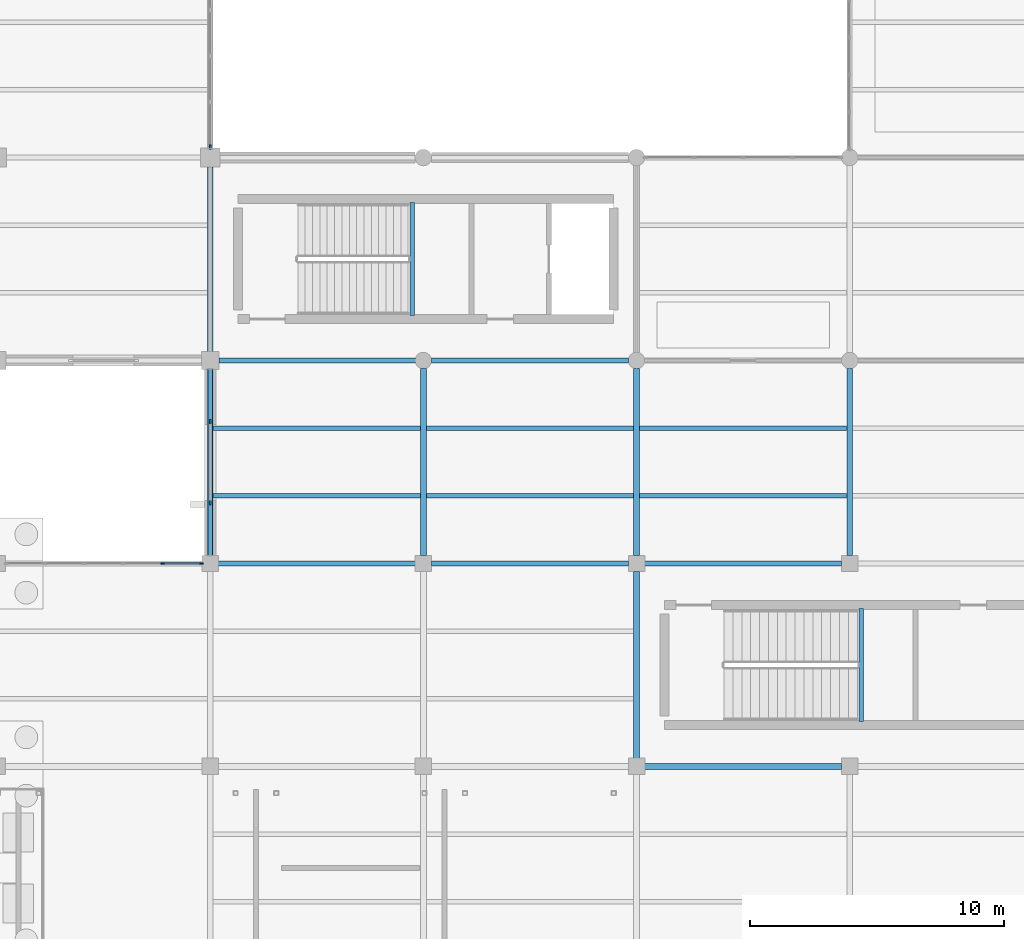
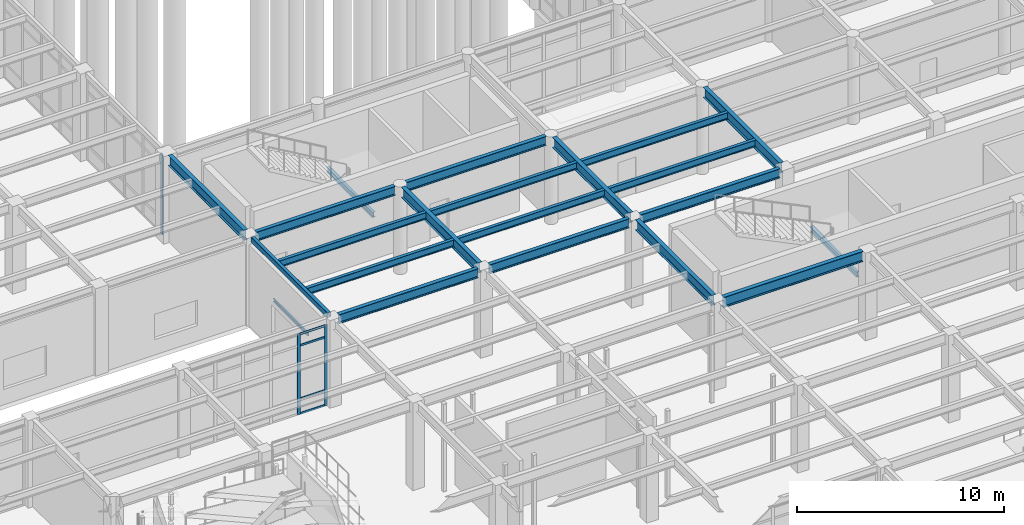
# One storey, part 28 of 138: 21 beams, 7 members, 2 elements without a shape of their own.
"""IFC4 building model written with IfcOpenShell, lengths in metres."""

from ifc_helpers import new_model, si_unit, direction, frame, origin, origin_2d, place, context, subcontext, project, spatial, rectangle, hollow_rectangle, i_section, u_section, extrude, material, layer, layer_set, material_profile, profile_set, type_object, element, aggregate, save


model = new_model("IFC4")

# Units and contexts
model_context = context("Model", 3, precision=1e-05, world=origin(), true_north=direction((0.0, 1.0)))
body_context = subcontext(model_context, "Body", "Model", "MODEL_VIEW")
ifc_project = project(units=[si_unit("LENGTHUNIT", "METRE"), si_unit("AREAUNIT", "SQUARE_METRE"), si_unit("VOLUMEUNIT", "CUBIC_METRE"), si_unit("PLANEANGLEUNIT", "RADIAN"), si_unit("MASSUNIT", "GRAM", prefix="KILO")], contexts=[model_context])

# Site, building, storey
site_placement = place(None, origin())
site = spatial("IfcSite", under=ifc_project, at=site_placement, CompositionType="ELEMENT")
building_placement = place(site_placement, origin())
building = spatial("IfcBuilding", under=site, at=building_placement, Name="Kranzveld Transit Interchange", CompositionType="ELEMENT")
storey_placement = place(building_placement, origin())
storey = spatial("IfcBuildingStorey", under=building, at=storey_placement, Name="L00", CompositionType="ELEMENT", Elevation=0.0)

# Curtain wall, members
ifc_material_1 = material(Name="Bronze-anodised thermally broken aluminium", Category="aluminium")
ifc_layer_1 = layer(ifc_material_1, 0.1650390625)
ifc_layer_set_1 = layer_set([ifc_layer_1], Name="Bronze-anodised thermally broken aluminium")
curtain_wall_type_1 = type_object("IfcCurtainWallType", Name="Sunny Court Arcade Curtain Wall CW-2", PredefinedType="USERDEFINED", material=ifc_layer_set_1)
curtain_wall_1_placement = place(storey_placement, origin())
curtain_wall_1 = element("IfcCurtainWall", 1, at=curtain_wall_1_placement, inside=storey, type_object=curtain_wall_type_1, Name="L00 Curtain Wall 04/F-05/F", ObjectType="CURTAIN WALL", PredefinedType="USERDEFINED")
ifc_material_2 = material(Name="Bronze-anodised thermally broken aluminium", Category="aluminium")
ifc_material_profile_1 = material_profile(ifc_material_2, rectangle(XDim=0.06494140625, YDim=0.1650390625, at=origin_2d()), Name="ALU MULLION 65x165")
ifc_profile_set_1 = profile_set([ifc_material_profile_1], Name="Bronze-anodised thermally broken aluminium")
member_type_1 = type_object("IfcMemberType", Name="Curtain Wall Mullion 65x165 Alu", PredefinedType="MULLION", material=ifc_profile_set_1)
member_1_placement = place(storey_placement, frame((31.72509765625, 40.0, 0.0), z_axis=(0.0, 0.0, 1.0), x_axis=(0.0, 1.0, 0.0)))
member_1 = element("IfcMember", 2, at=member_1_placement, type_object=member_type_1, Name="CW-2 mullion 5", PredefinedType="MULLION", context=body_context, shape_type="SweptSolid", body=[
    extrude(rectangle(XDim=0.06494140625, YDim=0.1650390625, at=origin_2d()), origin(), (0.0, 0.0, 1.0), 4.740478515625),
])
member_2_placement = place(storey_placement, frame((33.242431640625, 40.0, 0.0), z_axis=(0.0, 0.0, 1.0), x_axis=(0.0, 1.0, 0.0)))
member_2 = element("IfcMember", 3, at=member_2_placement, type_object=member_type_1, Name="CW-2 mullion 6", PredefinedType="MULLION", context=body_context, shape_type="SweptSolid", body=[
    extrude(rectangle(XDim=0.06494140625, YDim=0.1650390625, at=origin_2d()), origin(), (0.0, 0.0, 1.0), 4.740478515625),
])

# Curtain wall, member
ifc_material_3 = material(Name="Bronze-anodised thermally broken aluminium", Category="aluminium")
ifc_layer_2 = layer(ifc_material_3, 0.18505859375)
ifc_layer_set_2 = layer_set([ifc_layer_2], Name="Bronze-anodised thermally broken aluminium")
curtain_wall_type_2 = type_object("IfcCurtainWallType", Name="Control Crown Observation Facade CW-5", PredefinedType="USERDEFINED", material=ifc_layer_set_2)
curtain_wall_2_placement = place(storey_placement, origin())
curtain_wall_2 = element("IfcCurtainWall", 4, at=curtain_wall_2_placement, inside=storey, type_object=curtain_wall_type_2, Name="L00 Curtain Wall 05/H-05/J", ObjectType="CURTAIN WALL", PredefinedType="USERDEFINED")
ifc_material_4 = material(Name="Bronze-anodised thermally broken aluminium", Category="aluminium")
ifc_material_profile_2 = material_profile(ifc_material_4, rectangle(XDim=0.06494140625, YDim=0.179931640625, at=origin_2d()), Name="ALU MULLION 65x180")
ifc_profile_set_2 = profile_set([ifc_material_profile_2], Name="Bronze-anodised thermally broken aluminium")
member_type_2 = type_object("IfcMemberType", Name="Curtain Wall Mullion 65x180 Alu", PredefinedType="MULLION", material=ifc_profile_set_2)
member_3_placement = place(storey_placement, frame((33.60009765625, 56.407470703125, 0.0), z_axis=(0.0, 0.0, 1.0), x_axis=(-1.0, 0.0, 0.0)))
member_3 = element("IfcMember", 5, at=member_3_placement, type_object=member_type_2, Name="CW-5 mullion 1", PredefinedType="MULLION", context=body_context, shape_type="SweptSolid", body=[
    extrude(rectangle(XDim=0.06494140625, YDim=0.179931640625, at=origin_2d()), origin(), (0.0, 0.0, 1.0), 4.747314453125),
])
aggregate(curtain_wall_2, [member_3])

# Member
ifc_material_5 = material(Name="Bronze-anodised thermally broken aluminium", Category="aluminium")
ifc_material_profile_3 = material_profile(ifc_material_5, rectangle(XDim=0.06005859375, YDim=0.125, at=origin_2d()), Name="ALU TRANSOM 60x125")
ifc_profile_set_3 = profile_set([ifc_material_profile_3], Name="Bronze-anodised thermally broken aluminium")
member_type_3 = type_object("IfcMemberType", Name="Curtain Wall Transom 60x125 Alu", PredefinedType="USERDEFINED", material=ifc_profile_set_3)
member_4_placement = place(storey_placement, frame((31.757568359375, 40.0, 0.030029296875), z_axis=(1.0, 0.0, 0.0), x_axis=(0.0, 1.0, 0.0)))
member_4 = element("IfcMember", 6, at=member_4_placement, type_object=member_type_3, Name="CW-2 transom 5.1", ObjectType="TRANSOM", PredefinedType="USERDEFINED", context=body_context, shape_type="SweptSolid", body=[
    extrude(rectangle(XDim=0.06005859375, YDim=0.125, at=origin_2d()), origin(), (0.0, 0.0, 1.0), 1.452392578125),
])

member_5_placement = place(storey_placement, frame((31.757568359375, 40.0, 0.89990234375), z_axis=(1.0, 0.0, 0.0), x_axis=(0.0, 1.0, 0.0)))
member_5 = element("IfcMember", 7, at=member_5_placement, type_object=member_type_3, Name="CW-2 transom 5.2", ObjectType="TRANSOM", PredefinedType="USERDEFINED", context=body_context, shape_type="SweptSolid", body=[
    extrude(rectangle(XDim=0.06005859375, YDim=0.125, at=origin_2d()), origin(), (0.0, 0.0, 1.0), 1.452392578125),
])

member_6_placement = place(storey_placement, frame((31.757568359375, 40.0, 4.04052734375), z_axis=(1.0, 0.0, 0.0), x_axis=(0.0, 1.0, 0.0)))
member_6 = element("IfcMember", 8, at=member_6_placement, type_object=member_type_3, Name="CW-2 transom 5.3", ObjectType="TRANSOM", PredefinedType="USERDEFINED", context=body_context, shape_type="SweptSolid", body=[
    extrude(rectangle(XDim=0.06005859375, YDim=0.125, at=origin_2d()), origin(), (0.0, 0.0, 1.0), 1.452392578125),
])

member_7_placement = place(storey_placement, frame((31.757568359375, 40.0, 4.710693359375), z_axis=(1.0, 0.0, 0.0), x_axis=(0.0, 1.0, 0.0)))
member_7 = element("IfcMember", 9, at=member_7_placement, type_object=member_type_3, Name="CW-2 transom 5.4", ObjectType="TRANSOM", PredefinedType="USERDEFINED", context=body_context, shape_type="SweptSolid", body=[
    extrude(rectangle(XDim=0.06005859375, YDim=0.125, at=origin_2d()), origin(), (0.0, 0.0, 1.0), 1.452392578125),
])

aggregate(curtain_wall_1, [member_1, member_2, member_4, member_5, member_6, member_7])

# Beams
ifc_material_6 = material(Name="Steel S355JR", Category="steel")
ifc_material_profile_4 = material_profile(ifc_material_6, hollow_rectangle(XDim=0.199951171875, YDim=0.300048828125, WallThickness=0.010009765625, InnerFilletRadius=0.014892578125, OuterFilletRadius=0.02490234375, at=origin_2d()), Name="RHS 300x200x10")
ifc_profile_set_4 = profile_set([ifc_material_profile_4], Name="Steel S355JR")
beam_type_1 = type_object("IfcBeamType", Name="Edge Spandrel RHS 300x200x10 S355JR", PredefinedType="SPANDREL", material=ifc_profile_set_4)
beam_1_placement = place(storey_placement, frame((33.60009765625, 40.31494140625, 5.0), z_axis=(0.0, 1.0, 0.0), x_axis=(-1.0, 0.0, 0.0)))
element("IfcBeam", 10, at=beam_1_placement, inside=storey, type_object=beam_type_1, Name="L00 Girder 05/F-G", PredefinedType="SPANDREL", context=body_context, shape_type="SweptSolid", body=[
    extrude(hollow_rectangle(XDim=0.199951171875, YDim=0.300048828125, WallThickness=0.010009765625, InnerFilletRadius=0.014892578125, OuterFilletRadius=0.02490234375, at=origin_2d()), origin(), (0.0, 0.0, 1.0), 7.344970703125),
])
ifc_material_7 = material(Name="Steel S355JR", Category="steel")
ifc_material_profile_5 = material_profile(ifc_material_7, i_section(OverallWidth=0.177734375, OverallDepth=0.402587890625, WebThickness=0.0078125, FlangeThickness=0.010986328125, FilletRadius=0.01025390625, at=origin_2d()), Name="UB 406x178x54")
ifc_profile_set_5 = profile_set([ifc_material_profile_5], Name="Steel S355JR")
beam_type_2 = type_object("IfcBeamType", Name="Floor Joist UB 406x178x54 S355JR", PredefinedType="JOIST", material=ifc_profile_set_5)
for number, where, z_axis, x_axis, name in (
    (11, (33.701904296875, 42.666748046875, 4.94873046875), (1.0, 0.0, 0.0), (0.0, 1.0, 0.0), "L00 Secondary Joist 05-06/F.1"),
    (12, (33.701904296875, 45.333251953125, 4.94873046875), (1.0, 0.0, 0.0), (0.0, 1.0, 0.0), "L00 Secondary Joist 05-06/F.2"),
):
    element("IfcBeam", number, at=place(storey_placement, frame(where, z_axis=z_axis, x_axis=x_axis)), inside=storey, type_object=beam_type_2, Name=name, PredefinedType="JOIST", context=body_context, shape_type="SweptSolid", body=[
        extrude(i_section(OverallWidth=0.177734375, OverallDepth=0.402587890625, WebThickness=0.0078125, FlangeThickness=0.010986328125, FilletRadius=0.01025390625, at=origin_2d()), origin(), (0.0, 0.0, 1.0), 8.181884765625),
    ])
for number, where, z_axis, x_axis, name in (
    (13, (42.1162109375, 42.666748046875, 4.94873046875), (1.0, 0.0, 0.0), (0.0, 1.0, 0.0), "L00 Secondary Joist 06-07/F.1"),
    (14, (42.1162109375, 45.333251953125, 4.94873046875), (1.0, 0.0, 0.0), (0.0, 1.0, 0.0), "L00 Secondary Joist 06-07/F.2"),
    (15, (50.51611328125, 42.666748046875, 4.94873046875), (1.0, 0.0, 0.0), (0.0, 1.0, 0.0), "L00 Secondary Joist 07-08/F.1"),
    (16, (50.51611328125, 45.333251953125, 4.94873046875), (1.0, 0.0, 0.0), (0.0, 1.0, 0.0), "L00 Secondary Joist 07-08/F.2"),
):
    element("IfcBeam", number, at=place(storey_placement, frame(where, z_axis=z_axis, x_axis=x_axis)), inside=storey, type_object=beam_type_2, Name=name, PredefinedType="JOIST", context=body_context, shape_type="SweptSolid", body=[
        extrude(i_section(OverallWidth=0.177734375, OverallDepth=0.402587890625, WebThickness=0.0078125, FlangeThickness=0.010986328125, FilletRadius=0.01025390625, at=origin_2d()), origin(), (0.0, 0.0, 1.0), 8.167724609375),
    ])
ifc_material_8 = material(Name="Steel S355JR", Category="steel")
ifc_material_profile_6 = material_profile(ifc_material_8, i_section(OverallWidth=0.2119140625, OverallDepth=0.54443359375, WebThickness=0.0126953125, FlangeThickness=0.021240234375, FilletRadius=0.0126953125, at=origin_2d()), Name="UB 533x210x122")
ifc_profile_set_6 = profile_set([ifc_material_profile_6], Name="Steel S355JR")
beam_type_3 = type_object("IfcBeamType", Name="Girder Steel UB 533x210x122 S355JR", PredefinedType="BEAM", material=ifc_profile_set_6)
for number, where, z_axis, x_axis, name in (
    (17, (33.9150390625, 40.0, 4.877685546875), (1.0, 0.0, 0.0), (0.0, 1.0, 0.0), "L00 Girder 05-06/F"),
    (18, (42.31494140625, 40.0, 4.877685546875), (1.0, 0.0, 0.0), (0.0, 1.0, 0.0), "L00 Girder 06-07/F"),
    (19, (50.715087890625, 40.0, 4.877685546875), (1.0, 0.0, 0.0), (0.0, 1.0, 0.0), "L00 Girder 07-08/F"),
):
    element("IfcBeam", number, at=place(storey_placement, frame(where, z_axis=z_axis, x_axis=x_axis)), inside=storey, type_object=beam_type_3, Name=name, PredefinedType="BEAM", context=body_context, shape_type="SweptSolid", body=[
        extrude(i_section(OverallWidth=0.2119140625, OverallDepth=0.54443359375, WebThickness=0.0126953125, FlangeThickness=0.021240234375, FilletRadius=0.0126953125, at=origin_2d()), origin(), (0.0, 0.0, 1.0), 7.77001953125),
    ])
beam_2_placement = place(storey_placement, frame((33.93994140625, 48.0, 4.877685546875), z_axis=(1.0, 0.0, 0.0), x_axis=(0.0, 1.0, 0.0)))
element("IfcBeam", 20, at=beam_2_placement, inside=storey, type_object=beam_type_3, Name="L00 Girder 05-06/G", PredefinedType="BEAM", context=body_context, shape_type="SweptSolid", body=[
    extrude(i_section(OverallWidth=0.2119140625, OverallDepth=0.54443359375, WebThickness=0.0126953125, FlangeThickness=0.021240234375, FilletRadius=0.0126953125, at=origin_2d()), origin(), (0.0, 0.0, 1.0), 7.7451171875),
])
beam_3_placement = place(storey_placement, frame((42.31494140625, 48.0, 4.877685546875), z_axis=(1.0, 0.0, 0.0), x_axis=(0.0, 1.0, 0.0)))
element("IfcBeam", 21, at=beam_3_placement, inside=storey, type_object=beam_type_3, Name="L00 Girder 06-07/G", PredefinedType="BEAM", context=body_context, shape_type="SweptSolid", body=[
    extrude(i_section(OverallWidth=0.2119140625, OverallDepth=0.54443359375, WebThickness=0.0126953125, FlangeThickness=0.021240234375, FilletRadius=0.0126953125, at=origin_2d()), origin(), (0.0, 0.0, 1.0), 7.77001953125),
])
ifc_material_9 = material(Name="Steel S355JR", Category="steel")
ifc_material_profile_7 = material_profile(ifc_material_9, i_section(OverallWidth=0.228271484375, OverallDepth=0.607666015625, WebThickness=0.010986328125, FlangeThickness=0.017333984375, FilletRadius=0.0126953125, at=origin_2d()), Name="UB 610x229x113")
ifc_profile_set_7 = profile_set([ifc_material_profile_7], Name="Steel S355JR")
beam_type_4 = type_object("IfcBeamType", Name="Girder Steel UB 610x229x113 S355JR", PredefinedType="BEAM", material=ifc_profile_set_7)
beam_4_placement = place(storey_placement, frame((33.60009765625, 48.340087890625, 4.84619140625), z_axis=(0.0, 1.0, 0.0), x_axis=(-1.0, 0.0, 0.0)))
element("IfcBeam", 22, at=beam_4_placement, inside=storey, type_object=beam_type_4, Name="L00 Girder 05/G-H", PredefinedType="BEAM", context=body_context, shape_type="SweptSolid", body=[
    extrude(i_section(OverallWidth=0.228271484375, OverallDepth=0.607666015625, WebThickness=0.010986328125, FlangeThickness=0.017333984375, FilletRadius=0.0126953125, at=origin_2d()), origin(), (0.0, 0.0, 1.0), 7.294921875),
])
for number, where, z_axis, x_axis, name in (
    (23, (42.0, 40.31494140625, 4.84619140625), (0.0, 1.0, 0.0), (-1.0, 0.0, 0.0), "L00 Girder 06/F-G"),
    (24, (50.39990234375, 32.31494140625, 4.84619140625), (0.0, 1.0, 0.0), (-1.0, 0.0, 0.0), "L00 Girder 07/E-F"),
    (25, (50.39990234375, 40.31494140625, 4.84619140625), (0.0, 1.0, 0.0), (-1.0, 0.0, 0.0), "L00 Girder 07/F-G"),
    (26, (58.800048828125, 40.31494140625, 4.84619140625), (0.0, 1.0, 0.0), (-1.0, 0.0, 0.0), "L00 Girder 08/F-G"),
):
    element("IfcBeam", number, at=place(storey_placement, frame(where, z_axis=z_axis, x_axis=x_axis)), inside=storey, type_object=beam_type_4, Name=name, PredefinedType="BEAM", context=body_context, shape_type="SweptSolid", body=[
        extrude(i_section(OverallWidth=0.228271484375, OverallDepth=0.607666015625, WebThickness=0.010986328125, FlangeThickness=0.017333984375, FilletRadius=0.0126953125, at=origin_2d()), origin(), (0.0, 0.0, 1.0), 7.3701171875),
    ])
ifc_material_10 = material(Name="Steel S355JR", Category="steel")
ifc_material_profile_8 = material_profile(ifc_material_10, i_section(OverallWidth=0.230224609375, OverallDepth=0.6171875, WebThickness=0.01318359375, FlangeThickness=0.022216796875, FilletRadius=0.0126953125, at=origin_2d()), Name="UB 610x229x140")
ifc_profile_set_8 = profile_set([ifc_material_profile_8], Name="Steel S355JR")
beam_type_5 = type_object("IfcBeamType", Name="Girder Steel UB 610x229x140 S355JR", PredefinedType="BEAM", material=ifc_profile_set_8)
beam_5_placement = place(storey_placement, frame((50.715087890625, 32.0, 4.84130859375), z_axis=(1.0, 0.0, 0.0), x_axis=(0.0, 1.0, 0.0)))
element("IfcBeam", 27, at=beam_5_placement, inside=storey, type_object=beam_type_5, Name="L00 Girder 07-08/E", PredefinedType="BEAM", context=body_context, shape_type="SweptSolid", body=[
    extrude(i_section(OverallWidth=0.230224609375, OverallDepth=0.6171875, WebThickness=0.01318359375, FlangeThickness=0.022216796875, FilletRadius=0.0126953125, at=origin_2d()), origin(), (0.0, 0.0, 1.0), 7.77001953125),
])
ifc_material_11 = material(Name="Steel S355JR", Category="steel")
ifc_material_profile_9 = material_profile(ifc_material_11, u_section(Depth=0.199951171875, FlangeWidth=0.074951171875, WebThickness=0.006103515625, FlangeThickness=0.012451171875, FilletRadius=0.011962890625, at=origin_2d()), Name="PFC 200x75x23")
ifc_profile_set_9 = profile_set([ifc_material_profile_9], Name="Steel S355JR")
beam_type_6 = type_object("IfcBeamType", Name="Masonry Lintel PFC 200x75x23 S355JR", PredefinedType="LINTEL", material=ifc_profile_set_9)
beam_6_placement = place(storey_placement, frame((33.60009765625, 42.3076171875, 2.655029296875), z_axis=(0.0, 1.0, 0.0), x_axis=(-1.0, 0.0, 0.0)))
element("IfcBeam", 28, at=beam_6_placement, inside=storey, type_object=beam_type_6, Name="L00 Window Lintel 004", PredefinedType="LINTEL", context=body_context, shape_type="SweptSolid", body=[
    extrude(u_section(Depth=0.199951171875, FlangeWidth=0.074951171875, WebThickness=0.006103515625, FlangeThickness=0.012451171875, FilletRadius=0.011962890625, at=origin_2d()), origin(), (0.0, 0.0, 1.0), 3.35986328125),
])
ifc_material_12 = material(Name="Steel S355JR", Category="steel")
ifc_material_profile_10 = material_profile(ifc_material_12, i_section(OverallWidth=0.165771484375, OverallDepth=0.306640625, WebThickness=0.006591796875, FlangeThickness=0.01171875, FilletRadius=0.0087890625, at=origin_2d()), Name="UB 305x165x46")
ifc_profile_set_10 = profile_set([ifc_material_profile_10], Name="Steel S355JR")
beam_type_7 = type_object("IfcBeamType", Name="Roof Joist UB 305x165x46 S355JR", PredefinedType="JOIST", material=ifc_profile_set_10)
for number, where, z_axis, x_axis, name in (
    (29, (41.56005859375, 49.780029296875, 2.36669921875), (0.0, 1.0, 0.0), (-1.0, 0.0, 0.0), "L00 ST-M1 Half-Landing Support Beam"),
    (30, (59.260009765625, 33.780029296875, 2.36669921875), (0.0, 1.0, 0.0), (-1.0, 0.0, 0.0), "L00 ST-M2 Half-Landing Support Beam"),
):
    element("IfcBeam", number, at=place(storey_placement, frame(where, z_axis=z_axis, x_axis=x_axis)), inside=storey, type_object=beam_type_7, Name=name, PredefinedType="BEAM", context=body_context, shape_type="SweptSolid", body=[
        extrude(i_section(OverallWidth=0.165771484375, OverallDepth=0.306640625, WebThickness=0.006591796875, FlangeThickness=0.01171875, FilletRadius=0.0087890625, at=origin_2d()), origin(), (0.0, 0.0, 1.0), 4.43994140625),
    ])

save(model, "model.ifc")
